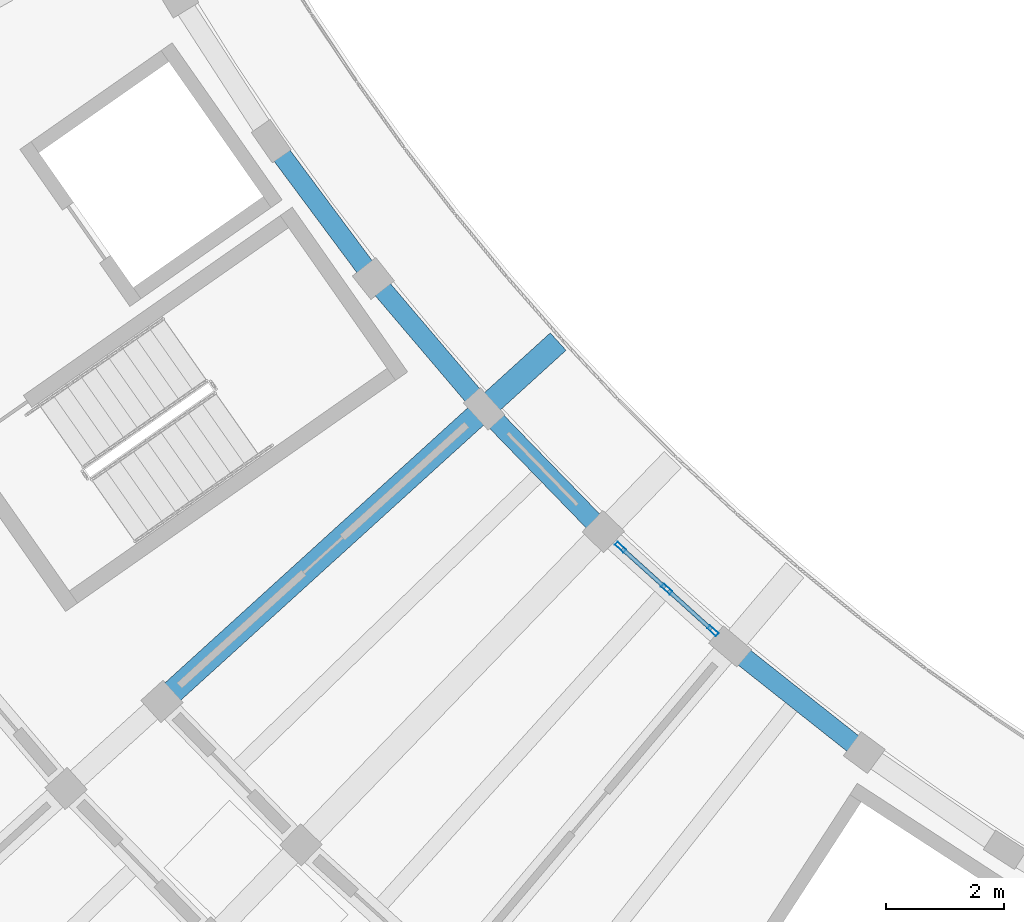
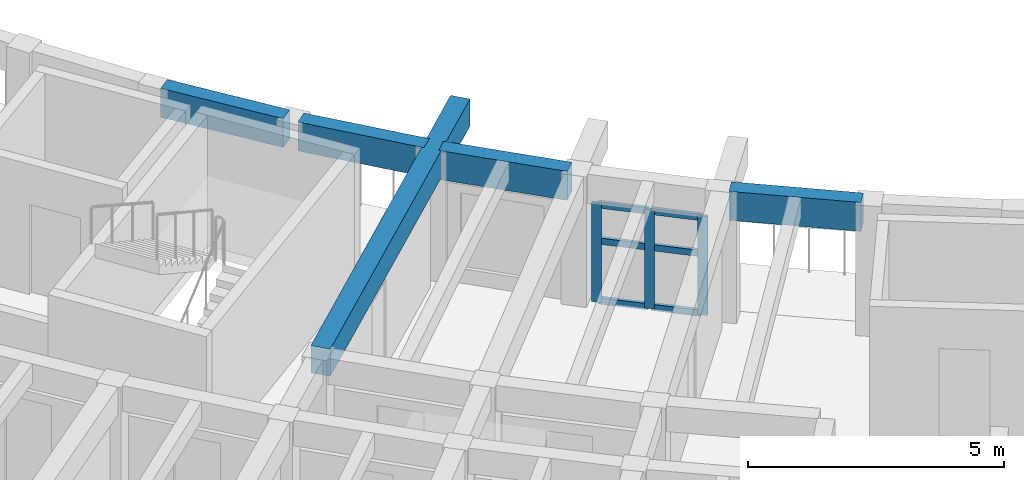
# One storey, part 9 of 62: 9 members, 5 beams, 1 element without a shape of its own.
"""IFC4 building model written with IfcOpenShell, lengths in metres."""

from ifc_helpers import new_model, si_unit, direction, frame, origin, origin_2d, place, context, subcontext, project, spatial, rectangle, hollow_rectangle, extrude, material, material_profile, profile_set, type_object, element, aggregate, save


model = new_model("IFC4")

# Units and contexts
model_context = context("Model", 3, precision=1e-05, world=origin(), true_north=direction((0.0, 1.0)))
body_context = subcontext(model_context, "Body", "Model", "MODEL_VIEW")
ifc_project = project(units=[si_unit("LENGTHUNIT", "METRE"), si_unit("AREAUNIT", "SQUARE_METRE"), si_unit("VOLUMEUNIT", "CUBIC_METRE"), si_unit("PLANEANGLEUNIT", "RADIAN"), si_unit("MASSUNIT", "GRAM", prefix="KILO")], contexts=[model_context])

# Site, building, storey
site_placement = place(None, origin())
site = spatial("IfcSite", under=ifc_project, at=site_placement, CompositionType="ELEMENT")
building_placement = place(site_placement, origin())
building = spatial("IfcBuilding", under=site, at=building_placement, Name="Tanwirah Colonnade Gardens", CompositionType="ELEMENT")
storey_placement = place(building_placement, frame((0.0, 0.0, 32.360107421875)))
storey = spatial("IfcBuildingStorey", under=building, at=storey_placement, Name="L09", CompositionType="ELEMENT", Elevation=32.360107421875)

# Beam
ifc_material_1 = material(Name="Precast concrete C45/55", Category="concrete")
ifc_material_profile_1 = material_profile(ifc_material_1, rectangle(XDim=0.39990234375, YDim=0.64990234375, at=origin_2d()), Name="PC-BM 400x650")
ifc_profile_set_1 = profile_set([ifc_material_profile_1], Name="Precast concrete C45/55")
beam_type_1 = type_object("IfcBeamType", Name="BM-PC400", PredefinedType="BEAM", material=ifc_profile_set_1)
beam_1_placement = place(storey_placement, frame((26.730712890625, 29.738525390625, 2.789794921875), z_axis=(0.740212791446, 0.672372681911, 0.0), x_axis=(-0.672372681911, 0.740212791446, 0.0)))
element("IfcBeam", 1, at=beam_1_placement, inside=storey, type_object=beam_type_1, Name="Block C L09 Inner Radial Precast Girder 7", PredefinedType="BEAM", context=body_context, shape_type="SweptSolid", body=[
    extrude(rectangle(XDim=0.39990234375, YDim=0.64990234375, at=origin_2d()), origin(), (0.0, 0.0, 1.0), 8.9501953125),
])

# Curtain wall, members
ifc_material_2 = material(Name="Bronze-anodised aluminium and solar-control low-E glass", Category="aluminium")
curtain_wall_type = type_object("IfcCurtainWallType", Name="CW-GDN", PredefinedType="NOTDEFINED", material=ifc_material_2)
curtain_wall_placement = place(storey_placement, origin())
curtain_wall = element("IfcCurtainWall", 2, at=curtain_wall_placement, inside=storey, type_object=curtain_wall_type, Name="Curtain Wall CW-C-L09-IN-08", PredefinedType="NOTDEFINED")
ifc_material_3 = material(Name="Bronze-anodised aluminium", Category="aluminium")
ifc_material_profile_2 = material_profile(ifc_material_3, hollow_rectangle(XDim=0.070068359375, YDim=0.199951171875, WallThickness=0.00390625, at=origin_2d()), Name="CW-MUL 70x200x4")
ifc_profile_set_2 = profile_set([ifc_material_profile_2], Name="Bronze-anodised aluminium")
member_type_1 = type_object("IfcMemberType", Name="CWM-70x200", PredefinedType="MULLION", material=ifc_profile_set_2)
member_1_placement = place(storey_placement, frame((34.415283203125, 32.260498046875, 0.0), z_axis=(0.0, 0.0, 1.0), x_axis=(0.670750964954, 0.741682643058, 0.0)))
member_1 = element("IfcMember", 3, at=member_1_placement, type_object=member_type_1, Name="CW-GDN mullion 1", PredefinedType="MULLION", context=body_context, shape_type="SweptSolid", body=[
    extrude(hollow_rectangle(XDim=0.070068359375, YDim=0.199951171875, WallThickness=0.00390625, at=origin_2d()), origin(), (0.0, 0.0, 1.0), 2.35498046875),
])
member_2_placement = place(storey_placement, frame((35.201171875, 31.5498046875, 0.0), z_axis=(0.0, 0.0, 1.0), x_axis=(0.670750964954, 0.741682643058, 0.0)))
member_2 = element("IfcMember", 4, at=member_2_placement, type_object=member_type_1, Name="CW-GDN mullion 2", PredefinedType="MULLION", context=body_context, shape_type="SweptSolid", body=[
    extrude(hollow_rectangle(XDim=0.070068359375, YDim=0.199951171875, WallThickness=0.00390625, at=origin_2d()), origin(), (0.0, 0.0, 1.0), 2.35498046875),
])
member_3_placement = place(storey_placement, frame((35.98681640625, 30.83935546875, 0.0), z_axis=(0.0, 0.0, 1.0), x_axis=(0.670750964954, 0.741682643058, 0.0)))
member_3 = element("IfcMember", 5, at=member_3_placement, type_object=member_type_1, Name="CW-GDN mullion 3", PredefinedType="MULLION", context=body_context, shape_type="SweptSolid", body=[
    extrude(hollow_rectangle(XDim=0.070068359375, YDim=0.199951171875, WallThickness=0.00390625, at=origin_2d()), origin(), (0.0, 0.0, 1.0), 2.35498046875),
])
ifc_material_profile_3 = material_profile(ifc_material_3, hollow_rectangle(XDim=0.070068359375, YDim=0.14990234375, WallThickness=0.00390625, at=origin_2d()), Name="CW-TRN 70x150x4")
ifc_profile_set_3 = profile_set([ifc_material_profile_3], Name="Bronze-anodised aluminium")
member_type_2 = type_object("IfcMemberType", Name="CWT-70x150", PredefinedType="USERDEFINED", material=ifc_profile_set_3)
member_4_placement = place(storey_placement, frame((34.44140625, 32.23681640625, 0.034912109375), z_axis=(0.74163516815, -0.670803456583, 0.0), x_axis=(0.670803456583, 0.74163516815, 0.0)))
member_4 = element("IfcMember", 6, at=member_4_placement, type_object=member_type_2, Name="CW-GDN transom 1.1", ObjectType="TRANSOM", PredefinedType="USERDEFINED", context=body_context, shape_type="SweptSolid", body=[
    extrude(hollow_rectangle(XDim=0.070068359375, YDim=0.14990234375, WallThickness=0.00390625, at=origin_2d()), origin(), (0.0, 0.0, 1.0), 0.9892578125),
])
member_5_placement = place(storey_placement, frame((34.44140625, 32.23681640625, 1.4599609375), z_axis=(0.74163516815, -0.670803456583, 0.0), x_axis=(0.670803456583, 0.74163516815, 0.0)))
member_5 = element("IfcMember", 7, at=member_5_placement, type_object=member_type_2, Name="CW-GDN transom 1.2", ObjectType="TRANSOM", PredefinedType="USERDEFINED", context=body_context, shape_type="SweptSolid", body=[
    extrude(hollow_rectangle(XDim=0.070068359375, YDim=0.14990234375, WallThickness=0.00390625, at=origin_2d()), origin(), (0.0, 0.0, 1.0), 0.9892578125),
])
member_6_placement = place(storey_placement, frame((34.44140625, 32.23681640625, 2.31982421875), z_axis=(0.74163516815, -0.670803456583, 0.0), x_axis=(0.670803456583, 0.74163516815, 0.0)))
member_6 = element("IfcMember", 8, at=member_6_placement, type_object=member_type_2, Name="CW-GDN transom 1.3", ObjectType="TRANSOM", PredefinedType="USERDEFINED", context=body_context, shape_type="SweptSolid", body=[
    extrude(hollow_rectangle(XDim=0.070068359375, YDim=0.14990234375, WallThickness=0.00390625, at=origin_2d()), origin(), (0.0, 0.0, 1.0), 0.9892578125),
])
member_7_placement = place(storey_placement, frame((35.22705078125, 31.5263671875, 0.034912109375), z_axis=(0.741746192232, -0.670680688785, 0.0), x_axis=(0.670680688785, 0.741746192232, 0.0)))
member_7 = element("IfcMember", 9, at=member_7_placement, type_object=member_type_2, Name="CW-GDN transom 2.1", ObjectType="TRANSOM", PredefinedType="USERDEFINED", context=body_context, shape_type="SweptSolid", body=[
    extrude(hollow_rectangle(XDim=0.070068359375, YDim=0.14990234375, WallThickness=0.00390625, at=origin_2d()), origin(), (0.0, 0.0, 1.0), 0.989501953125),
])
member_8_placement = place(storey_placement, frame((35.22705078125, 31.5263671875, 1.4599609375), z_axis=(0.741746192232, -0.670680688785, 0.0), x_axis=(0.670680688785, 0.741746192232, 0.0)))
member_8 = element("IfcMember", 10, at=member_8_placement, type_object=member_type_2, Name="CW-GDN transom 2.2", ObjectType="TRANSOM", PredefinedType="USERDEFINED", context=body_context, shape_type="SweptSolid", body=[
    extrude(hollow_rectangle(XDim=0.070068359375, YDim=0.14990234375, WallThickness=0.00390625, at=origin_2d()), origin(), (0.0, 0.0, 1.0), 0.989501953125),
])
member_9_placement = place(storey_placement, frame((35.22705078125, 31.5263671875, 2.31982421875), z_axis=(0.741746192232, -0.670680688785, 0.0), x_axis=(0.670680688785, 0.741746192232, 0.0)))
member_9 = element("IfcMember", 11, at=member_9_placement, type_object=member_type_2, Name="CW-GDN transom 2.3", ObjectType="TRANSOM", PredefinedType="USERDEFINED", context=body_context, shape_type="SweptSolid", body=[
    extrude(hollow_rectangle(XDim=0.070068359375, YDim=0.14990234375, WallThickness=0.00390625, at=origin_2d()), origin(), (0.0, 0.0, 1.0), 0.989501953125),
])
aggregate(curtain_wall, [member_1, member_2, member_3, member_4, member_5, member_6, member_7, member_8, member_9])

# Beams
ifc_material_4 = material(Name="Precast concrete C40/50", Category="concrete")
ifc_material_profile_4 = material_profile(ifc_material_4, rectangle(XDim=0.330078125, YDim=0.68994140625, at=origin_2d()), Name="PC-SP 330x690")
ifc_profile_set_4 = profile_set([ifc_material_profile_4], Name="Precast concrete C40/50")
beam_type_2 = type_object("IfcBeamType", Name="SP-PC280", PredefinedType="SPANDREL", material=ifc_profile_set_4)
beam_2_placement = place(storey_placement, frame((28.5673828125, 39.043212890625, 2.769775390625), z_axis=(0.596565220249, -0.802564600508, 0.0), x_axis=(0.802564600508, 0.596565220249, 0.0)))
element("IfcBeam", 12, at=beam_2_placement, inside=storey, type_object=beam_type_2, Name="Block C L09 Circumferential Beam 5-R0", PredefinedType="SPANDREL", context=body_context, shape_type="SweptSolid", body=[
    extrude(rectangle(XDim=0.330078125, YDim=0.68994140625, at=origin_2d()), origin(), (0.0, 0.0, 1.0), 2.6083984375),
])
beam_3_placement = place(storey_placement, frame((30.310302734375, 36.71484375, 2.769775390625), z_axis=(0.647811402053, -0.761800753065, 0.0), x_axis=(0.761800753065, 0.647811402053, 0.0)))
element("IfcBeam", 13, at=beam_3_placement, inside=storey, type_object=beam_type_2, Name="Block C L09 Circumferential Beam 6-R0", PredefinedType="SPANDREL", context=body_context, shape_type="SweptSolid", body=[
    extrude(rectangle(XDim=0.330078125, YDim=0.68994140625, at=origin_2d()), origin(), (0.0, 0.0, 1.0), 2.608642578125),
])
for number, where, z_axis, x_axis, name in (
    (14, (32.20166015625, 34.505615234375, 2.769775390625), (0.696262751108, -0.717787002822, 0.0), (0.717787002822, 0.696262751108, 0.0), "Block C L09 Circumferential Beam 7-R0"),
    (15, (36.3974609375, 30.481201171875, 2.769775390625), (0.783945239852, -0.62082997746, 0.0), (0.62082997746, 0.783945239852, 0.0), "Block C L09 Circumferential Beam 9-R0"),
):
    element("IfcBeam", number, at=place(storey_placement, frame(where, z_axis=z_axis, x_axis=x_axis)), inside=storey, type_object=beam_type_2, Name=name, PredefinedType="SPANDREL", context=body_context, shape_type="SweptSolid", body=[
        extrude(rectangle(XDim=0.330078125, YDim=0.68994140625, at=origin_2d()), origin(), (0.0, 0.0, 1.0), 2.60888671875),
    ])

save(model, "model.ifc")
